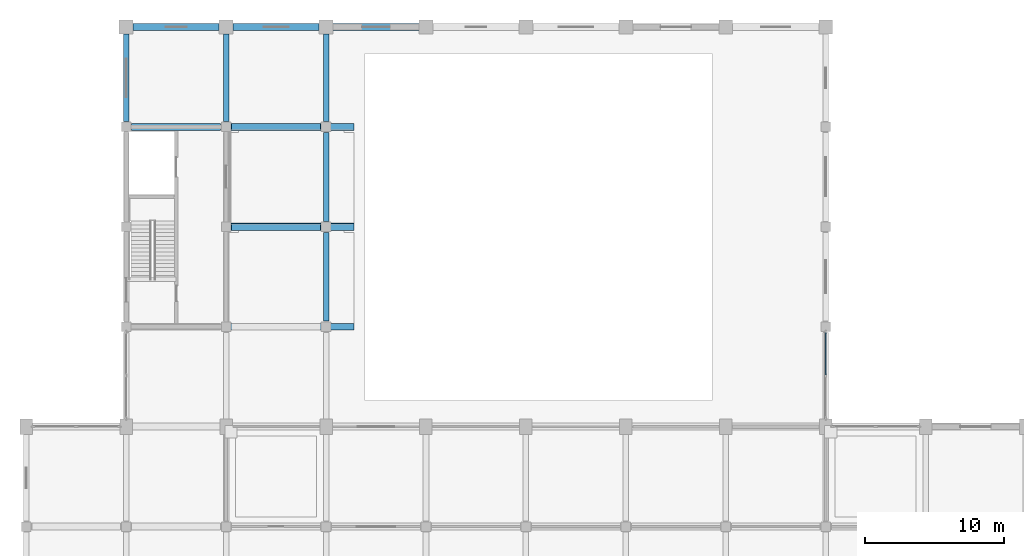
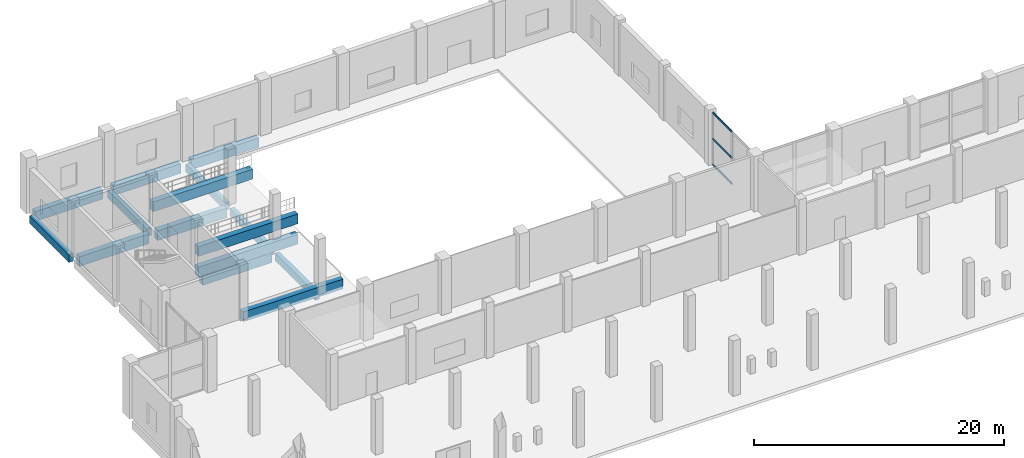
# One storey, part 22 of 70: 15 beams, 3 members, 1 element without a shape of its own.
"""IFC4 building model written with IfcOpenShell, lengths in metres."""

from ifc_helpers import new_model, si_unit, direction, frame, origin, origin_2d, place, context, subcontext, project, spatial, rectangle, hollow_rectangle, extrude, material, material_profile, profile_set, type_object, element, aggregate, save


model = new_model("IFC4")

# Units and contexts
model_context = context("Model", 3, precision=1e-05, world=origin(), true_north=direction((0.0, 1.0)))
body_context = subcontext(model_context, "Body", "Model", "MODEL_VIEW")
ifc_project = project(units=[si_unit("LENGTHUNIT", "METRE"), si_unit("AREAUNIT", "SQUARE_METRE"), si_unit("VOLUMEUNIT", "CUBIC_METRE"), si_unit("PLANEANGLEUNIT", "RADIAN"), si_unit("MASSUNIT", "GRAM", prefix="KILO")], contexts=[model_context])

# Site, building, storey
site_placement = place(None, origin())
site = spatial("IfcSite", under=ifc_project, at=site_placement, CompositionType="ELEMENT")
building_placement = place(site_placement, origin())
building = spatial("IfcBuilding", under=site, at=building_placement, Name="Vesperath Aquatics Centre", CompositionType="ELEMENT")
storey_placement = place(building_placement, origin())
storey = spatial("IfcBuildingStorey", under=building, at=storey_placement, Name="L00", CompositionType="ELEMENT", Elevation=0.0)

# Beams
ifc_material_1 = material(Name="Concrete C40", Category="concrete")
ifc_material_profile_1 = material_profile(ifc_material_1, rectangle(XDim=0.5, YDim=0.949951171875, at=origin_2d()), Name="RC 500x950")
ifc_profile_set_1 = profile_set([ifc_material_profile_1], Name="Concrete C40")
beam_type_1 = type_object("IfcBeamType", Name="BM-DP01", PredefinedType="BEAM", material=ifc_profile_set_1)
for number, where, z_axis, x_axis, name in (
    (1, (14.39990234375, 93.60009765625, 0.205078125), (1.0, 0.0, 0.0), (0.0, 1.0, 0.0), "Diving Platform Girder DPB1 DP_1M-S"),
    (2, (14.39990234375, 100.800048828125, 0.205078125), (1.0, 0.0, 0.0), (0.0, 1.0, 0.0), "Diving Platform Girder DPB1 DP_1M-N"),
):
    element("IfcBeam", number, at=place(storey_placement, frame(where, z_axis=z_axis, x_axis=x_axis)), inside=storey, type_object=beam_type_1, Name=name, PredefinedType="BEAM", context=body_context, shape_type="SweptSolid", body=[
        extrude(rectangle(XDim=0.5, YDim=0.949951171875, at=origin_2d()), origin(), (0.0, 0.0, 1.0), 9.2001953125),
    ])
ifc_material_profile_2 = material_profile(ifc_material_1, rectangle(XDim=0.52001953125, YDim=0.949951171875, at=origin_2d()), Name="RC 520x950")
ifc_profile_set_2 = profile_set([ifc_material_profile_2], Name="Concrete C40")
beam_type_2 = type_object("IfcBeamType", Name="BM-DP02", PredefinedType="BEAM", material=ifc_profile_set_2)
for number, where, z_axis, x_axis, name in (
    (3, (14.39990234375, 100.800048828125, 2.205078125), (1.0, 0.0, 0.0), (0.0, 1.0, 0.0), "Diving Platform Girder DPB2 DP_3M-S"),
    (4, (14.39990234375, 108.0, 2.205078125), (1.0, 0.0, 0.0), (0.0, 1.0, 0.0), "Diving Platform Girder DPB2 DP_3M-N"),
):
    element("IfcBeam", number, at=place(storey_placement, frame(where, z_axis=z_axis, x_axis=x_axis)), inside=storey, type_object=beam_type_2, Name=name, PredefinedType="BEAM", context=body_context, shape_type="SweptSolid", body=[
        extrude(rectangle(XDim=0.52001953125, YDim=0.949951171875, at=origin_2d()), origin(), (0.0, 0.0, 1.0), 9.2001953125),
    ])
ifc_material_profile_3 = material_profile(ifc_material_1, rectangle(XDim=0.5, YDim=0.949951171875, at=origin_2d()), Name="RC 500x950")
ifc_profile_set_3 = profile_set([ifc_material_profile_3], Name="Concrete C40")
beam_type_3 = type_object("IfcBeamType", Name="BM-G02", PredefinedType="BEAM", material=ifc_profile_set_3)
beam_1_placement = place(storey_placement, frame((7.60009765625, 108.0, -0.7548828125), z_axis=(1.0, 0.0, 0.0), x_axis=(0.0, 1.0, 0.0)))
element("IfcBeam", 5, at=beam_1_placement, inside=storey, type_object=beam_type_3, Name="Floor Girder B02 L00 R 2-3", PredefinedType="BEAM", context=body_context, shape_type="SweptSolid", body=[
    extrude(rectangle(XDim=0.5, YDim=0.949951171875, at=origin_2d()), origin(), (0.0, 0.0, 1.0), 6.39990234375),
])
beam_2_placement = place(storey_placement, frame((7.699951171875, 115.199951171875, -0.7548828125), z_axis=(1.0, 0.0, 0.0), x_axis=(0.0, 1.0, 0.0)))
element("IfcBeam", 6, at=beam_2_placement, inside=storey, type_object=beam_type_3, Name="Floor Girder B02 L00 S 2-3", PredefinedType="BEAM", context=body_context, shape_type="SweptSolid", body=[
    extrude(rectangle(XDim=0.5, YDim=0.949951171875, at=origin_2d()), origin(), (0.0, 0.0, 1.0), 6.199951171875),
])
for number, where, z_axis, x_axis, name in (
    (7, (14.800048828125, 100.800048828125, -0.7548828125), (1.0, 0.0, 0.0), (0.0, 1.0, 0.0), "Floor Girder B02 L00 Q 3-4"),
    (8, (14.800048828125, 108.0, -0.7548828125), (1.0, 0.0, 0.0), (0.0, 1.0, 0.0), "Floor Girder B02 L00 R 3-4"),
):
    element("IfcBeam", number, at=place(storey_placement, frame(where, z_axis=z_axis, x_axis=x_axis)), inside=storey, type_object=beam_type_3, Name=name, PredefinedType="BEAM", context=body_context, shape_type="SweptSolid", body=[
        extrude(rectangle(XDim=0.5, YDim=0.949951171875, at=origin_2d()), origin(), (0.0, 0.0, 1.0), 6.39990234375),
    ])
beam_3_placement = place(storey_placement, frame((14.89990234375, 115.199951171875, -0.7548828125), z_axis=(1.0, 0.0, 0.0), x_axis=(0.0, 1.0, 0.0)))
element("IfcBeam", 9, at=beam_3_placement, inside=storey, type_object=beam_type_3, Name="Floor Girder B02 L00 S 3-4", PredefinedType="BEAM", context=body_context, shape_type="SweptSolid", body=[
    extrude(rectangle(XDim=0.5, YDim=0.949951171875, at=origin_2d()), origin(), (0.0, 0.0, 1.0), 6.2001953125),
])
beam_4_placement = place(storey_placement, frame((22.10009765625, 115.199951171875, -0.7548828125), z_axis=(1.0, 0.0, 0.0), x_axis=(0.0, 1.0, 0.0)))
element("IfcBeam", 10, at=beam_4_placement, inside=storey, type_object=beam_type_3, Name="Floor Girder B02 L00 S 4-5", PredefinedType="BEAM", context=body_context, shape_type="SweptSolid", body=[
    extrude(rectangle(XDim=0.5, YDim=0.949951171875, at=origin_2d()), origin(), (0.0, 0.0, 1.0), 6.199951171875),
])
ifc_material_2 = material(Name="Concrete C35", Category="concrete")
ifc_material_profile_4 = material_profile(ifc_material_2, rectangle(XDim=0.39990234375, YDim=0.75, at=origin_2d()), Name="RC 400x750")
ifc_profile_set_4 = profile_set([ifc_material_profile_4], Name="Concrete C35")
beam_type_4 = type_object("IfcBeamType", Name="BM-G04", PredefinedType="BEAM", material=ifc_profile_set_4)
for number, where, z_axis, x_axis, name in (
    (11, (7.199951171875, 108.39990234375, -0.655029296875), (0.0, 1.0, 0.0), (-1.0, 0.0, 0.0), "Floor Girder B04 L00 2 R-S"),
    (12, (14.39990234375, 108.39990234375, -0.655029296875), (0.0, 1.0, 0.0), (-1.0, 0.0, 0.0), "Floor Girder B04 L00 3 R-S"),
):
    element("IfcBeam", number, at=place(storey_placement, frame(where, z_axis=z_axis, x_axis=x_axis)), inside=storey, type_object=beam_type_4, Name=name, PredefinedType="BEAM", context=body_context, shape_type="SweptSolid", body=[
        extrude(rectangle(XDim=0.39990234375, YDim=0.75, at=origin_2d()), origin(), (0.0, 0.0, 1.0), 6.300048828125),
    ])
beam_5_placement = place(storey_placement, frame((21.60009765625, 94.0, -0.655029296875), z_axis=(0.0, 1.0, 0.0), x_axis=(-1.0, 0.0, 0.0)))
element("IfcBeam", 13, at=beam_5_placement, inside=storey, type_object=beam_type_4, Name="Floor Girder B04 L00 4 P-Q", PredefinedType="BEAM", context=body_context, shape_type="SweptSolid", body=[
    extrude(rectangle(XDim=0.39990234375, YDim=0.75, at=origin_2d()), origin(), (0.0, 0.0, 1.0), 6.39990234375),
])
beam_6_placement = place(storey_placement, frame((21.60009765625, 101.199951171875, -0.655029296875), z_axis=(0.0, 1.0, 0.0), x_axis=(-1.0, 0.0, 0.0)))
element("IfcBeam", 14, at=beam_6_placement, inside=storey, type_object=beam_type_4, Name="Floor Girder B04 L00 4 Q-R", PredefinedType="BEAM", context=body_context, shape_type="SweptSolid", body=[
    extrude(rectangle(XDim=0.39990234375, YDim=0.75, at=origin_2d()), origin(), (0.0, 0.0, 1.0), 6.400146484375),
])
beam_7_placement = place(storey_placement, frame((21.60009765625, 108.39990234375, -0.655029296875), z_axis=(0.0, 1.0, 0.0), x_axis=(-1.0, 0.0, 0.0)))
element("IfcBeam", 15, at=beam_7_placement, inside=storey, type_object=beam_type_4, Name="Floor Girder B04 L00 4 R-S", PredefinedType="BEAM", context=body_context, shape_type="SweptSolid", body=[
    extrude(rectangle(XDim=0.39990234375, YDim=0.75, at=origin_2d()), origin(), (0.0, 0.0, 1.0), 6.300048828125),
])

# Curtain wall, members
ifc_material_3 = material(Name="Thermally broken anodised bronze aluminium curtain wall", Category="aluminium")
curtain_wall_type = type_object("IfcCurtainWallType", Name="CW-01", PredefinedType="NOTDEFINED", material=ifc_material_3)
curtain_wall_placement = place(storey_placement, origin())
curtain_wall = element("IfcCurtainWall", 16, at=curtain_wall_placement, inside=storey, type_object=curtain_wall_type, Name="Facade Curtain Wall CW01 L00_E_08_12", PredefinedType="NOTDEFINED")
ifc_material_4 = material(Name="Thermally broken anodised aluminium", Category="aluminium")
ifc_material_profile_5 = material_profile(ifc_material_4, hollow_rectangle(XDim=0.074951171875, YDim=0.179931640625, WallThickness=0.0048828125, at=origin_2d()), Name="CWT 75x180x5")
ifc_profile_set_5 = profile_set([ifc_material_profile_5], Name="Thermally broken anodised aluminium")
member_type = type_object("IfcMemberType", Name="MB-CWT1", PredefinedType="USERDEFINED", material=ifc_profile_set_5)
member_1_placement = place(storey_placement, frame((57.60009765625, 90.137451171875, 0.03759765625), z_axis=(0.0, 1.0, 0.0), x_axis=(-1.0, 0.0, 0.0)))
member_1 = element("IfcMember", 17, at=member_1_placement, type_object=member_type, Name="CW01 transom 2.1", ObjectType="TRANSOM", PredefinedType="USERDEFINED", context=body_context, shape_type="SweptSolid", body=[
    extrude(hollow_rectangle(XDim=0.074951171875, YDim=0.179931640625, WallThickness=0.0048828125, at=origin_2d()), origin(), (0.0, 0.0, 1.0), 3.03759765625),
])
member_2_placement = place(storey_placement, frame((57.60009765625, 90.137451171875, 2.570068359375), z_axis=(0.0, 1.0, 0.0), x_axis=(-1.0, 0.0, 0.0)))
member_2 = element("IfcMember", 18, at=member_2_placement, type_object=member_type, Name="CW01 transom 2.2", ObjectType="TRANSOM", PredefinedType="USERDEFINED", context=body_context, shape_type="SweptSolid", body=[
    extrude(hollow_rectangle(XDim=0.074951171875, YDim=0.179931640625, WallThickness=0.0048828125, at=origin_2d()), origin(), (0.0, 0.0, 1.0), 3.03759765625),
])
member_3_placement = place(storey_placement, frame((57.60009765625, 90.137451171875, 5.1025390625), z_axis=(0.0, 1.0, 0.0), x_axis=(-1.0, 0.0, 0.0)))
member_3 = element("IfcMember", 19, at=member_3_placement, type_object=member_type, Name="CW01 transom 2.3", ObjectType="TRANSOM", PredefinedType="USERDEFINED", context=body_context, shape_type="SweptSolid", body=[
    extrude(hollow_rectangle(XDim=0.074951171875, YDim=0.179931640625, WallThickness=0.0048828125, at=origin_2d()), origin(), (0.0, 0.0, 1.0), 3.03759765625),
])
aggregate(curtain_wall, [member_1, member_2, member_3])

save(model, "model.ifc")
